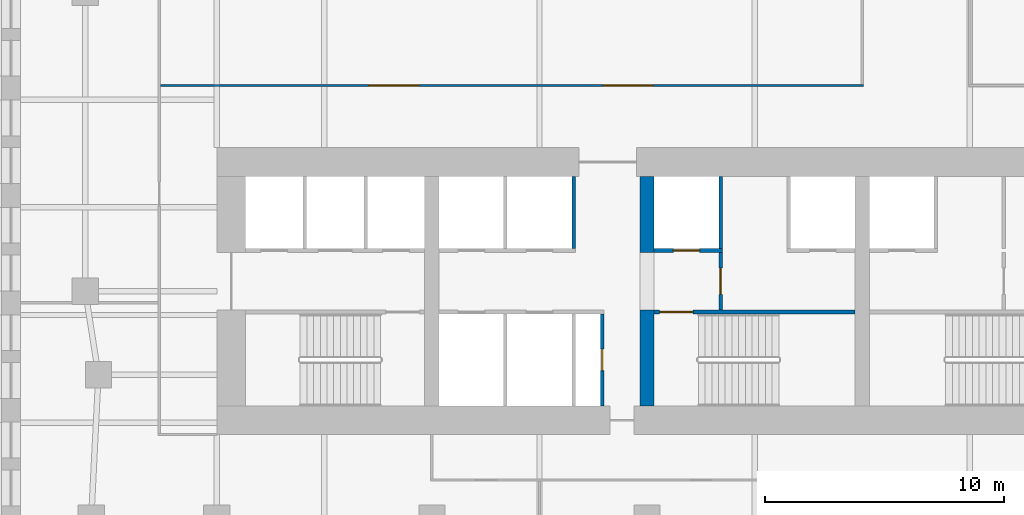
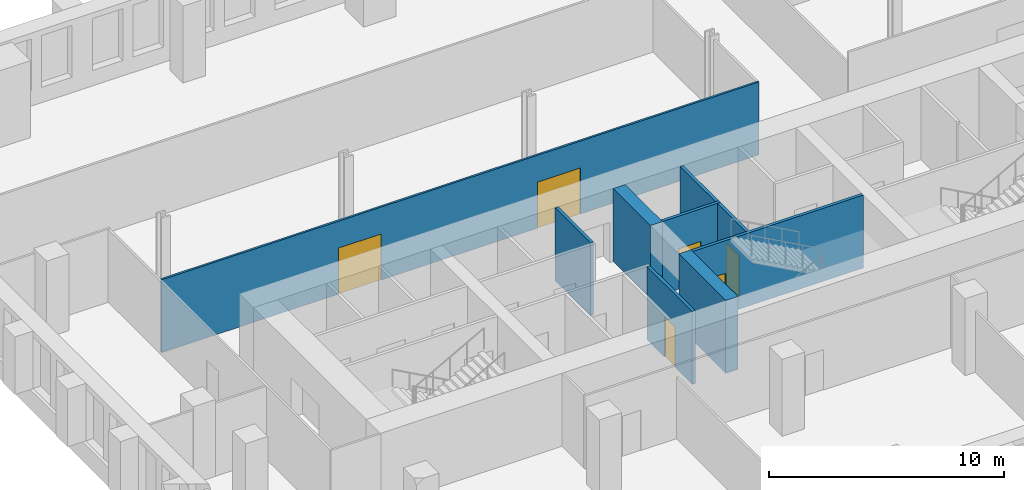
# One storey, part 4 of 11: 9 walls, 6 doors, 6 openings.
"""IFC4 building model written with IfcOpenShell, lengths in metres."""

from ifc_helpers import new_model, si_unit, direction, frame, frame_2d, origin, place, context, subcontext, project, spatial, rectangle, extrude, material, layer, layer_set, type_object, element, fill, save


model = new_model("IFC4")

# Units and contexts
model_context = context("Model", 3, precision=1e-05, world=origin(), true_north=direction((0.0, 1.0)))
body_context = subcontext(model_context, "Body", "Model", "MODEL_VIEW")
ifc_project = project(units=[si_unit("LENGTHUNIT", "METRE"), si_unit("AREAUNIT", "SQUARE_METRE"), si_unit("VOLUMEUNIT", "CUBIC_METRE"), si_unit("PLANEANGLEUNIT", "RADIAN"), si_unit("MASSUNIT", "GRAM", prefix="KILO")], contexts=[model_context])

# Site, building, storey
site_placement = place(None, origin())
site = spatial("IfcSite", under=ifc_project, at=site_placement, CompositionType="ELEMENT")
building_placement = place(site_placement, origin())
building = spatial("IfcBuilding", under=site, at=building_placement, Name="Zellij Exchange Tower", CompositionType="ELEMENT")
storey_placement = place(building_placement, frame((0.0, 0.0, 80.5)))
storey = spatial("IfcBuildingStorey", under=building, at=storey_placement, Name="L16", CompositionType="ELEMENT", Elevation=80.5)

# Walls
ifc_material_1 = material(Name="Concrete C70/85", Category="concrete")
ifc_layer_1 = layer(ifc_material_1, 0.60009765625)
ifc_layer_set_1 = layer_set([ifc_layer_1], Name="Concrete C70/85")
wall_type_1 = type_object("IfcWallType", Name="CORE-CW 600 C70/85", PredefinedType="SHEAR", material=ifc_layer_set_1)
wall_1_placement = place(storey_placement, frame((-9.0, -12.800048828125, 0.0), z_axis=(0.0, 0.0, 1.0), x_axis=(0.0, 1.0, 0.0)))
element("IfcWall", 1, at=wall_1_placement, inside=storey, type_object=wall_type_1, Name="Core cross wall pier x -9 a L16", PredefinedType="SHEAR", context=body_context, shape_type="SweptSolid", body=[
    extrude(rectangle(XDim=4.0, YDim=0.60009765625, at=frame_2d((2.0, 0.0))), origin(), (0.0, 0.0, 1.0), 3.800048828125),
])
wall_2_placement = place(storey_placement, frame((-9.0, -6.375, 0.0), z_axis=(0.0, 0.0, 1.0), x_axis=(0.0, 1.0, 0.0)))
element("IfcWall", 2, at=wall_2_placement, inside=storey, type_object=wall_type_1, Name="Core cross wall pier x -9 b L16", PredefinedType="SHEAR", context=body_context, shape_type="SweptSolid", body=[
    extrude(rectangle(XDim=3.175048828125, YDim=0.60009765625, at=frame_2d((1.58740234375, 0.0))), origin(), (0.0, 0.0, 1.0), 3.800048828125),
])

# Wall, opening, door
ifc_material_2 = material(Name="Gypsum shaft wall system")
ifc_layer_2 = layer(ifc_material_2, 0.14990234375)
ifc_layer_set_2 = layer_set([ifc_layer_2], Name="Gypsum shaft wall system")
wall_type_2 = type_object("IfcWallType", Name="CORE-PW 150 Firefighting lobby wall", PredefinedType="PARTITIONING", material=ifc_layer_set_2)
wall_3_placement = place(storey_placement, frame((-5.925048828125, -8.800048828125, 0.0), z_axis=(0.0, 0.0, 1.0), x_axis=(0.0, 1.0, 0.0)))
wall_3 = element("IfcWall", 3, at=wall_3_placement, inside=storey, type_object=wall_type_2, Name="Firefighting lobby wall L16", PredefinedType="PARTITIONING", context=body_context, shape_type="SweptSolid", body=[
    extrude(rectangle(XDim=2.425048828125, YDim=0.14990234375, at=frame_2d((1.21240234375, 0.0))), origin(), (0.0, 0.0, 1.0), 3.800048828125),
])
opening_1_placement = place(wall_3_placement, frame((0.662109375, 0.0, 0.0)))
opening_1 = element("IfcOpeningElement", 4, at=opening_1_placement, cuts=wall_3, Name="Opening CA-09.15", PredefinedType="OPENING", context=body_context, shape_type="SweptSolid", body=[
    extrude(rectangle(XDim=1.10009765625, YDim=2.10009765625, at=frame_2d((0.550048828125, 1.050048828125))), frame((0.0, 0.0869140625, 0.0), z_axis=(0.0, -1.0, 0.0), x_axis=(1.0, 0.0, 0.0)), (0.0, 0.0, 1.0), 0.173828125),
])
ifc_material_3 = material(Name="Hollow metal fire door")
door_type_1 = type_object("IfcDoorType", Name="CORE-D F Firefighting lobby door 1100x2100 1 HR", OperationType="NOTDEFINED", PredefinedType="DOOR", material=ifc_material_3)
door_1_placement = place(opening_1_placement, origin())
door_1 = element("IfcDoor", 5, at=door_1_placement, inside=storey, type_object=door_type_1, Name="Firefighting lobby door CA-09.15", OperationType="SINGLE_SWING_LEFT", OverallHeight=2.10009765625, OverallWidth=1.10009765625, PredefinedType="DOOR", context=body_context, shape_type="SweptSolid", body=[
    extrude(rectangle(XDim=1.10009765625, YDim=2.10009765625, at=frame_2d((0.550048828125, 1.050048828125))), frame((0.0, 0.02490234375, 0.0), z_axis=(0.0, -1.0, 0.0), x_axis=(1.0, 0.0, 0.0)), (0.0, 0.0, 1.0), 0.050048828125),
])
fill(opening_1, door_1)

ifc_material_4 = material(Name="Gypsum board partition")
ifc_layer_3 = layer(ifc_material_4, 0.14990234375)
ifc_layer_set_3 = layer_set([ifc_layer_3], Name="Gypsum board partition")
wall_type_3 = type_object("IfcWallType", Name="CORE-PW 150 Lift lobby wall", PredefinedType="PARTITIONING", material=ifc_layer_set_3)
wall_4_placement = place(storey_placement, frame((-10.875, -12.800048828125, 0.0), z_axis=(0.0, 0.0, 1.0), x_axis=(0.0, 1.0, 0.0)))
wall_4 = element("IfcWall", 6, at=wall_4_placement, inside=storey, type_object=wall_type_3, Name="Lift lobby wall L16", PredefinedType="PARTITIONING", context=body_context, shape_type="SweptSolid", body=[
    extrude(rectangle(XDim=3.85009765625, YDim=0.14990234375, at=frame_2d((1.925048828125, 0.0))), origin(), (0.0, 0.0, 1.0), 3.800048828125),
])
opening_2_placement = place(wall_4_placement, frame((1.47509765625, 0.0, 0.0)))
opening_2 = element("IfcOpeningElement", 7, at=opening_2_placement, cuts=wall_4, Name="Opening CA-09.10", PredefinedType="OPENING", context=body_context, shape_type="SweptSolid", body=[
    extrude(rectangle(XDim=0.89990234375, YDim=2.10009765625, at=frame_2d((0.449951171875, 1.050048828125))), frame((0.0, 0.0869140625, 0.0), z_axis=(0.0, -1.0, 0.0), x_axis=(1.0, 0.0, 0.0)), (0.0, 0.0, 1.0), 0.173828125),
])
door_type_2 = type_object("IfcDoorType", Name="CORE-D RD Riser door 900x2100 1.5 HR", OperationType="NOTDEFINED", PredefinedType="DOOR", material=ifc_material_3)
door_2_placement = place(opening_2_placement, origin())
door_2 = element("IfcDoor", 8, at=door_2_placement, inside=storey, type_object=door_type_2, Name="Riser door CA-09.10", OperationType="SINGLE_SWING_RIGHT", OverallHeight=2.10009765625, OverallWidth=0.89990234375, PredefinedType="DOOR", context=body_context, shape_type="SweptSolid", body=[
    extrude(rectangle(XDim=0.89990234375, YDim=2.10009765625, at=frame_2d((0.449951171875, 1.050048828125))), frame((0.0, 0.02490234375, 0.0), z_axis=(0.0, -1.0, 0.0), x_axis=(1.0, 0.0, 0.0)), (0.0, 0.0, 1.0), 0.050048828125),
])
fill(opening_2, door_2)

# Walls
ifc_layer_4 = layer(ifc_material_2, 0.14990234375)
ifc_layer_set_4 = layer_set([ifc_layer_4], Name="Gypsum shaft wall system")
wall_type_4 = type_object("IfcWallType", Name="CORE-PW 150 Lift shaft wall", PredefinedType="PARTITIONING", material=ifc_layer_set_4)
for number, where, z_axis, x_axis, name in (
    (9, (-12.074951171875, -6.22509765625, 0.0), (0.0, 0.0, 1.0), (0.0, 1.0, 0.0), "Lift shaft wall L16"),
    (10, (-5.925048828125, -6.22509765625, 0.0), (0.0, 0.0, 1.0), (0.0, 1.0, 0.0), "Lift shaft wall L16"),
):
    element("IfcWall", number, at=place(storey_placement, frame(where, z_axis=z_axis, x_axis=x_axis)), inside=storey, type_object=wall_type_4, Name=name, PredefinedType="PARTITIONING", context=body_context, shape_type="SweptSolid", body=[
        extrude(rectangle(XDim=3.025146484375, YDim=0.14990234375, at=frame_2d((1.5126953125, 0.0))), origin(), (0.0, 0.0, 1.0), 3.800048828125),
    ])

# Wall, opening, door
wall_5_placement = place(storey_placement, frame((-8.699951171875, -6.300048828125, 0.0), z_axis=(0.0, 0.0, 1.0), x_axis=(1.0, 0.0, 0.0)))
wall_5 = element("IfcWall", 11, at=wall_5_placement, inside=storey, type_object=wall_type_4, Name="Lift shaft wall L16", PredefinedType="PARTITIONING", context=body_context, shape_type="SweptSolid", body=[
    extrude(rectangle(XDim=2.849853515625, YDim=0.14990234375, at=frame_2d((1.4248046875, 0.0))), origin(), (0.0, 0.0, 1.0), 3.800048828125),
])
opening_3_placement = place(wall_5_placement, frame((0.800048828125, 0.0, 0.0)))
opening_3 = element("IfcOpeningElement", 12, at=opening_3_placement, cuts=wall_5, Name="Opening CA-09.14", PredefinedType="OPENING", context=body_context, shape_type="SweptSolid", body=[
    extrude(rectangle(XDim=1.10009765625, YDim=2.10009765625, at=frame_2d((0.550048828125, 1.050048828125))), frame((0.0, 0.0869140625, 0.0), z_axis=(0.0, -1.0, 0.0), x_axis=(1.0, 0.0, 0.0)), (0.0, 0.0, 1.0), 0.173828125),
])
door_type_3 = type_object("IfcDoorType", Name="CORE-D LD Lift landing door 1100x2100 1.5 HR", OperationType="NOTDEFINED", PredefinedType="DOOR", material=ifc_material_3)
door_3_placement = place(opening_3_placement, origin())
door_3 = element("IfcDoor", 13, at=door_3_placement, inside=storey, type_object=door_type_3, Name="Lift landing door CA-09.14", OperationType="SLIDING_TO_RIGHT", OverallHeight=2.10009765625, OverallWidth=1.10009765625, PredefinedType="DOOR", context=body_context, shape_type="SweptSolid", body=[
    extrude(rectangle(XDim=1.10009765625, YDim=2.10009765625, at=frame_2d((0.550048828125, 1.050048828125))), frame((0.0, 0.02490234375, 0.0), z_axis=(0.0, -1.0, 0.0), x_axis=(1.0, 0.0, 0.0)), (0.0, 0.0, 1.0), 0.050048828125),
])
fill(opening_3, door_3)

ifc_layer_5 = layer(ifc_material_1, 0.14990234375)
ifc_layer_set_5 = layer_set([ifc_layer_5], Name="Concrete C70/85")
wall_type_5 = type_object("IfcWallType", Name="CORE-SWS 150 C70/85", PredefinedType="SHEAR", material=ifc_layer_set_5)
wall_6_placement = place(storey_placement, frame((-8.699951171875, -8.875, 0.0), z_axis=(0.0, 0.0, 1.0), x_axis=(1.0, 0.0, 0.0)))
wall_6 = element("IfcWall", 14, at=wall_6_placement, inside=storey, type_object=wall_type_5, Name="Stair enclosure wall L16", PredefinedType="SHEAR", context=body_context, shape_type="SweptSolid", body=[
    extrude(rectangle(XDim=8.39990234375, YDim=0.14990234375, at=frame_2d((4.199951171875, 0.0))), origin(), (0.0, 0.0, 1.0), 3.800048828125),
])
opening_4_placement = place(wall_6_placement, frame((0.22509765625, 0.0, 0.0)))
opening_4 = element("IfcOpeningElement", 15, at=opening_4_placement, cuts=wall_6, Name="Opening CA-09.13", PredefinedType="OPENING", context=body_context, shape_type="SweptSolid", body=[
    extrude(rectangle(XDim=1.39990234375, YDim=2.10009765625, at=frame_2d((0.699951171875, 1.050048828125))), frame((0.0, 0.0869140625, 0.0), z_axis=(0.0, -1.0, 0.0), x_axis=(1.0, 0.0, 0.0)), (0.0, 0.0, 1.0), 0.173828125),
])
door_type_4 = type_object("IfcDoorType", Name="CORE-D SD Stair door 1400x2100 1.5 HR", OperationType="NOTDEFINED", PredefinedType="DOOR", material=ifc_material_3)
door_4_placement = place(opening_4_placement, origin())
door_4 = element("IfcDoor", 16, at=door_4_placement, inside=storey, type_object=door_type_4, Name="Stair door CA-09.13", OperationType="DOUBLE_DOOR_SINGLE_SWING", OverallHeight=2.10009765625, OverallWidth=1.39990234375, PredefinedType="DOOR", context=body_context, shape_type="SweptSolid", body=[
    extrude(rectangle(XDim=1.39990234375, YDim=2.10009765625, at=frame_2d((0.699951171875, 1.050048828125))), frame((0.0, 0.02490234375, 0.0), z_axis=(0.0, -1.0, 0.0), x_axis=(1.0, 0.0, 0.0)), (0.0, 0.0, 1.0), 0.050048828125),
])
fill(opening_4, door_4)

# Wall, openings, doors
ifc_material_5 = material(Name="Gypsum board partition on steel studs", Category="steel")
ifc_layer_6 = layer(ifc_material_5, 0.10009765625)
ifc_layer_set_6 = layer_set([ifc_layer_6], Name="Gypsum board partition on steel studs")
wall_type_6 = type_object("IfcWallType", Name="FIT-PARTITION-100", PredefinedType="PARTITIONING", material=ifc_layer_set_6)
wall_7_placement = place(storey_placement, frame((-29.35009765625, 0.60009765625, 0.0), z_axis=(0.0, 0.0, 1.0), x_axis=(1.0, 0.0, 0.0)))
wall_7 = element("IfcWall", 17, at=wall_7_placement, inside=storey, type_object=wall_type_6, Name="FIT-PARTITION-100 021", PredefinedType="PARTITIONING", context=body_context, shape_type="SweptSolid", body=[
    extrude(rectangle(XDim=29.400146484375, YDim=0.10009765625, at=frame_2d((14.7001953125, 0.0))), origin(), (0.0, 0.0, 1.0), 3.800048828125),
])
opening_5_placement = place(wall_7_placement, frame((8.699951171875, 0.0, 0.0)))
opening_5 = element("IfcOpeningElement", 18, at=opening_5_placement, cuts=wall_7, Name="Opening TC.09", PredefinedType="OPENING", context=body_context, shape_type="SweptSolid", body=[
    extrude(rectangle(XDim=2.10009765625, YDim=2.39990234375, at=frame_2d((1.050048828125, 1.199951171875))), frame((0.0, 0.06201171875, 0.0), z_axis=(0.0, -1.0, 0.0), x_axis=(1.0, 0.0, 0.0)), (0.0, 0.0, 1.0), 0.1240234375),
])
opening_6_placement = place(wall_7_placement, frame((18.5, 0.0, 0.0)))
opening_6 = element("IfcOpeningElement", 19, at=opening_6_placement, cuts=wall_7, Name="Opening TC.10", PredefinedType="OPENING", context=body_context, shape_type="SweptSolid", body=[
    extrude(rectangle(XDim=2.10009765625, YDim=2.39990234375, at=frame_2d((1.050048828125, 1.199951171875))), frame((0.0, 0.06201171875, 0.0), z_axis=(0.0, -1.0, 0.0), x_axis=(1.0, 0.0, 0.0)), (0.0, 0.0, 1.0), 0.1240234375),
])
ifc_material_6 = material(Name="Timber door set", Category="wood")
door_type_5 = type_object("IfcDoorType", Name="FIT-D7-ASSEMBLY-2100X2400", OperationType="DOUBLE_DOOR_SINGLE_SWING", PredefinedType="DOOR", material=ifc_material_6)
door_5_placement = place(opening_5_placement, origin())
door_5 = element("IfcDoor", 20, at=door_5_placement, inside=storey, type_object=door_type_5, Name="Door TC.09", OperationType="DOUBLE_DOOR_SINGLE_SWING", OverallHeight=2.39990234375, OverallWidth=2.10009765625, PredefinedType="DOOR", context=body_context, shape_type="SweptSolid", body=[
    extrude(rectangle(XDim=2.10009765625, YDim=2.39990234375, at=frame_2d((1.050048828125, 1.199951171875))), frame((0.0, 0.02490234375, 0.0), z_axis=(0.0, -1.0, 0.0), x_axis=(1.0, 0.0, 0.0)), (0.0, 0.0, 1.0), 0.050048828125),
])
fill(opening_5, door_5)
door_6_placement = place(opening_6_placement, origin())
door_6 = element("IfcDoor", 21, at=door_6_placement, inside=storey, type_object=door_type_5, Name="Door TC.10", OperationType="DOUBLE_DOOR_SINGLE_SWING", OverallHeight=2.39990234375, OverallWidth=2.10009765625, PredefinedType="DOOR", context=body_context, shape_type="SweptSolid", body=[
    extrude(rectangle(XDim=2.10009765625, YDim=2.39990234375, at=frame_2d((1.050048828125, 1.199951171875))), frame((0.0, 0.02490234375, 0.0), z_axis=(0.0, -1.0, 0.0), x_axis=(1.0, 0.0, 0.0)), (0.0, 0.0, 1.0), 0.050048828125),
])
fill(opening_6, door_6)

save(model, "model.ifc")
